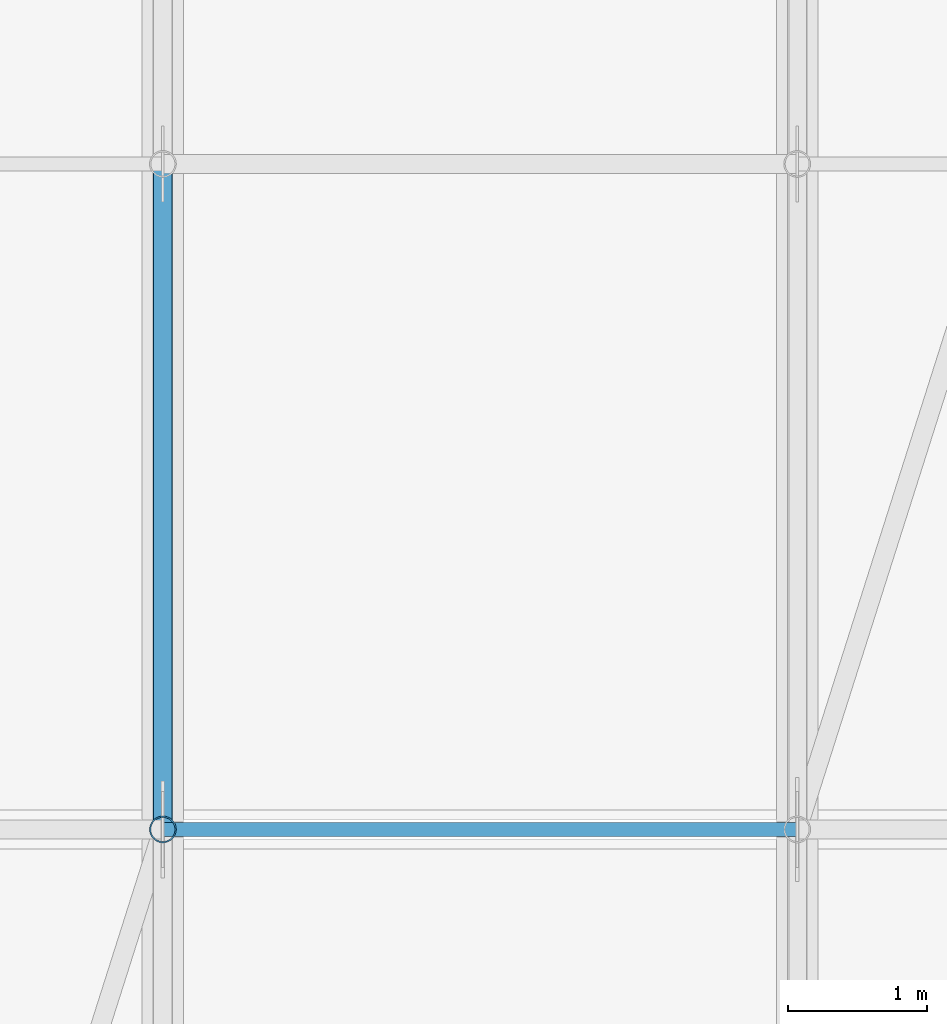
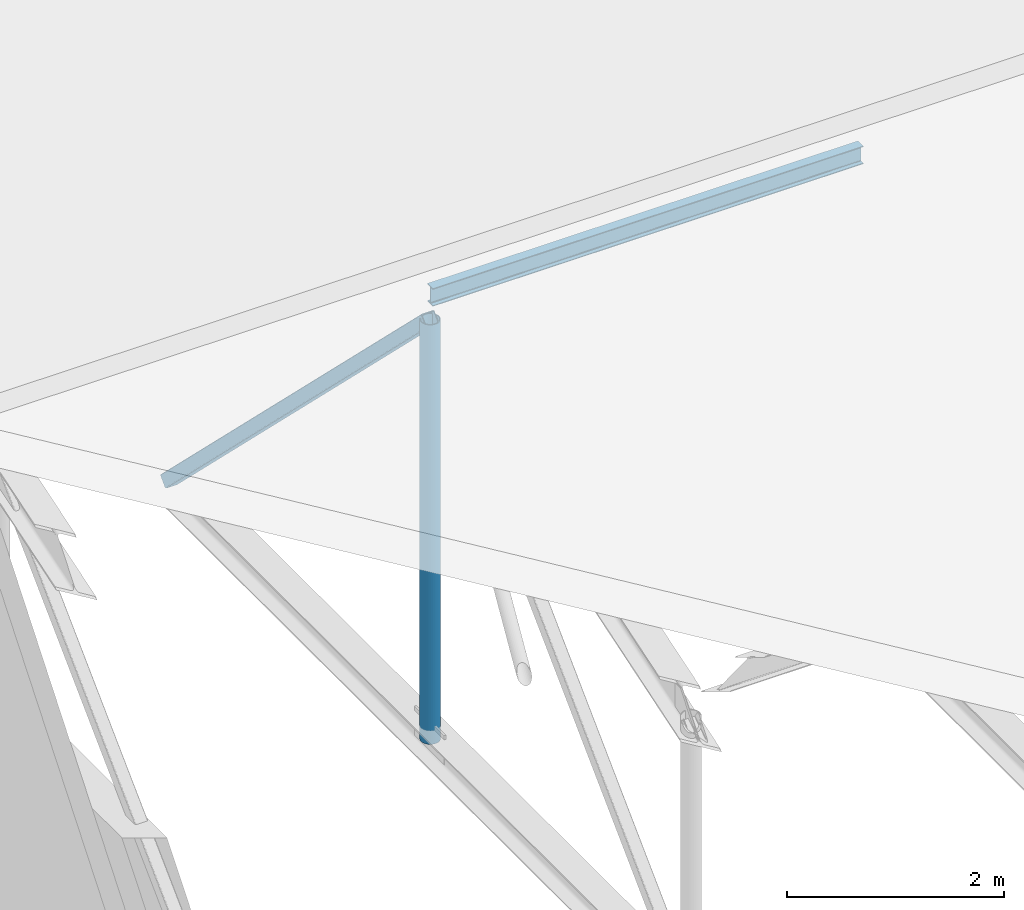
# One storey, part 25 of 134: 3 members.
"""IFC4 building model written with IfcOpenShell, lengths in metres."""

from ifc_helpers import new_model, si_unit, direction, frame, origin, origin_2d, place, context, subcontext, project, spatial, hollow_rectangle, hollow_circle, i_section, extrude, material, material_profile, profile_set, type_object, element, save


model = new_model("IFC4")

# Units and contexts
model_context = context("Model", 3, precision=1e-05, world=origin(), true_north=direction((0.0, 1.0)))
body_context = subcontext(model_context, "Body", "Model", "MODEL_VIEW")
ifc_project = project(units=[si_unit("LENGTHUNIT", "METRE"), si_unit("AREAUNIT", "SQUARE_METRE"), si_unit("VOLUMEUNIT", "CUBIC_METRE"), si_unit("PLANEANGLEUNIT", "RADIAN"), si_unit("MASSUNIT", "GRAM", prefix="KILO")], contexts=[model_context])

# Site, building, storey
site_placement = place(None, origin())
site = spatial("IfcSite", under=ifc_project, at=site_placement, CompositionType="ELEMENT")
building_placement = place(site_placement, origin())
building = spatial("IfcBuilding", under=site, at=building_placement, Name="Asteropetra Specialist Clinic", CompositionType="ELEMENT")
storey_placement = place(building_placement, frame((0.0, 0.0, 8.5)))
storey = spatial("IfcBuildingStorey", under=building, at=storey_placement, Name="L02", CompositionType="ELEMENT", Elevation=8.5)

# Members
ifc_material_1 = material(Name="Steel S355", Category="steel")
ifc_material_profile_1 = material_profile(ifc_material_1, hollow_rectangle(XDim=0.139892578125, YDim=0.139892578125, WallThickness=0.008056640625, InnerFilletRadius=0.008056640625, OuterFilletRadius=0.01611328125, at=origin_2d()), Name="SHS 140x140x8.0")
ifc_profile_set_1 = profile_set([ifc_material_profile_1], Name="Steel S355")
member_type_1 = type_object("IfcMemberType", Name="TR-BRC-SHS140", PredefinedType="BRACE", material=ifc_profile_set_1)
member_1_placement = place(storey_placement, frame((81.824951171875, 48.0, 5.06689453125), z_axis=(0.0, 0.713627970666, -0.700524888554), x_axis=(-1.0, 0.0, 0.0)))
element("IfcMember", 1, at=member_1_placement, inside=storey, type_object=member_type_1, Name="Truss Web Diagonal TRV3-D02-3", PredefinedType="BRACE", context=body_context, shape_type="SweptSolid", body=[
    extrude(hollow_rectangle(XDim=0.139892578125, YDim=0.139892578125, WallThickness=0.008056640625, InnerFilletRadius=0.008056640625, OuterFilletRadius=0.01611328125, at=origin_2d()), origin(), (0.0, 0.0, 1.0), 6.726318359375),
])
ifc_material_2 = material(Name="Steel S355", Category="steel")
ifc_material_profile_2 = material_profile(ifc_material_2, i_section(OverallWidth=0.10009765625, OverallDepth=0.199951171875, WebThickness=0.005615234375, FlangeThickness=0.008544921875, FilletRadius=0.011962890625, at=origin_2d()), Name="IPE 200")
ifc_profile_set_2 = profile_set([ifc_material_profile_2], Name="Steel S355")
member_type_2 = type_object("IfcMemberType", Name="TR-PUR-IPE200", PredefinedType="PURLIN", material=ifc_profile_set_2)
member_2_placement = place(storey_placement, frame((81.824951171875, 48.0, 5.3369140625), z_axis=(1.0, 0.0, 0.0), x_axis=(0.0, 1.0, 0.0)))
element("IfcMember", 2, at=member_2_placement, inside=storey, type_object=member_type_2, Name="Roof Purlin TRV3-P02-05", PredefinedType="PURLIN", context=body_context, shape_type="SweptSolid", body=[
    extrude(i_section(OverallWidth=0.10009765625, OverallDepth=0.199951171875, WebThickness=0.005615234375, FlangeThickness=0.008544921875, FilletRadius=0.011962890625, at=origin_2d()), origin(), (0.0, 0.0, 1.0), 4.574951171875),
])
ifc_material_3 = material(Name="Steel S355", Category="steel")
ifc_material_profile_3 = material_profile(ifc_material_3, hollow_circle(Radius=0.096923828125, WallThickness=0.010009765625, at=origin_2d()), Name="CHS 193.7x10.0")
ifc_profile_set_3 = profile_set([ifc_material_profile_3], Name="Steel S355")
member_type_3 = type_object("IfcMemberType", Name="TR-STR-CHS193", PredefinedType="STRUT", material=ifc_profile_set_3)
member_3_placement = place(storey_placement, frame((81.824951171875, 48.0, 0.35498046875), z_axis=(0.0, 0.0, 1.0), x_axis=(1.0, 0.0, 0.0)))
element("IfcMember", 3, at=member_3_placement, inside=storey, type_object=member_type_3, Name="Truss Web Strut TRV3-V02-3", PredefinedType="STRUT", context=body_context, shape_type="SweptSolid", body=[
    extrude(hollow_circle(Radius=0.096923828125, WallThickness=0.010009765625, at=origin_2d()), origin(), (0.0, 0.0, 1.0), 4.7119140625),
])

save(model, "model.ifc")
